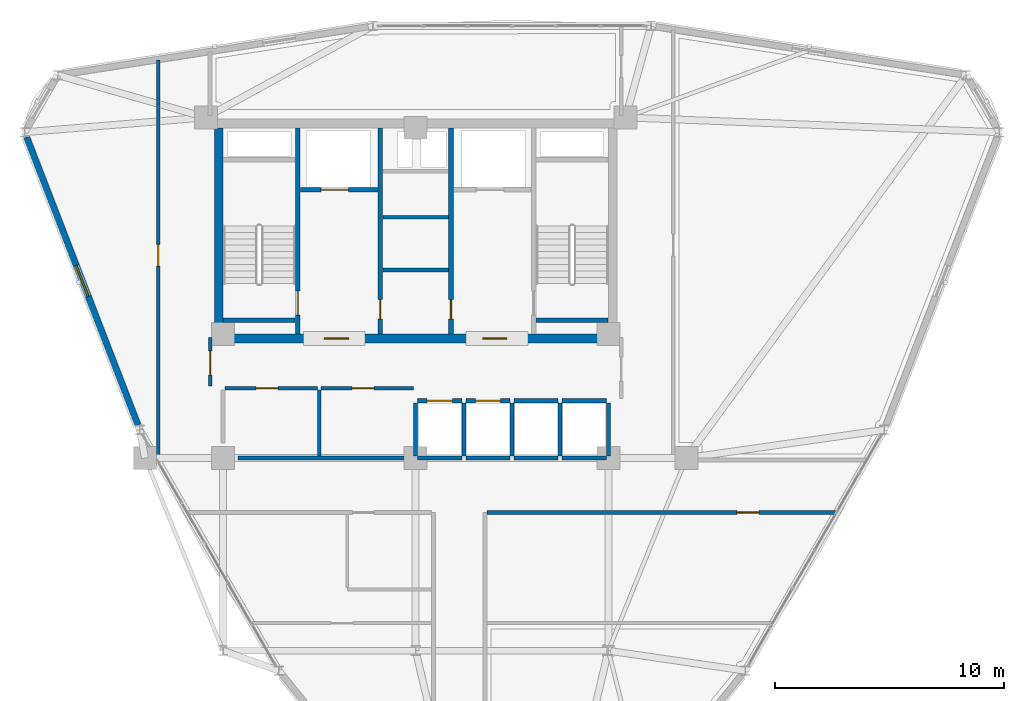
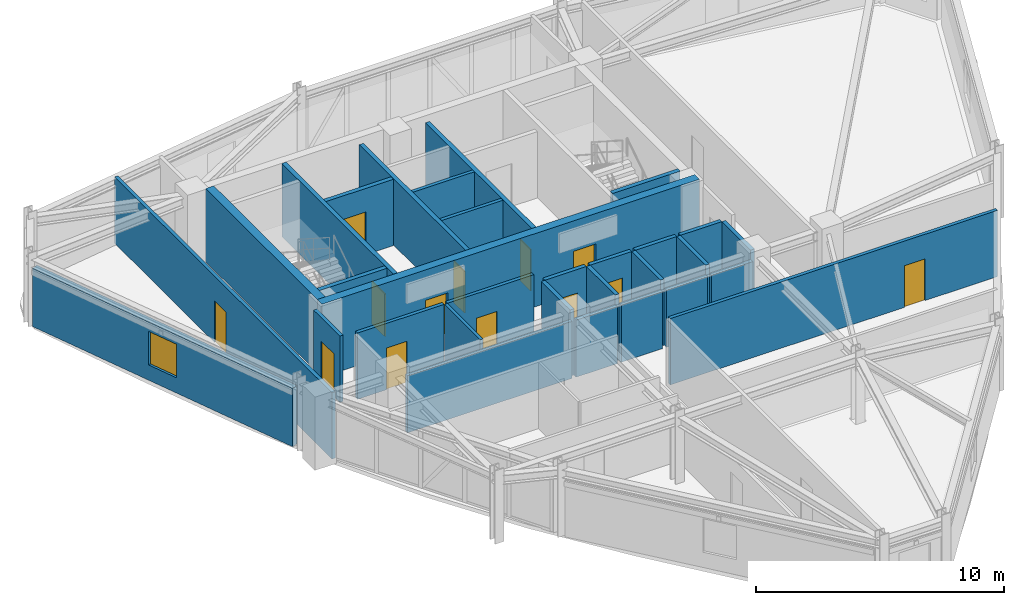
# One storey, part 13 of 16: 31 walls, 13 doors, 1 window, 14 openings.
"""IFC4 building model written with IfcOpenShell, lengths in metres."""

from ifc_helpers import new_model, si_unit, derived_unit, direction, frame, frame_2d, origin, place, context, subcontext, project, spatial, rectangle, extrude, material, layer, layer_set, type_object, element, fill, save


model = new_model("IFC4")

# Units and contexts
model_context = context("Model", 3, precision=1e-05, world=origin(), true_north=direction((0.0, 1.0)))
body_context = subcontext(model_context, "Body", "Model", "MODEL_VIEW")
ifc_project = project(units=[si_unit("LENGTHUNIT", "METRE"), si_unit("AREAUNIT", "SQUARE_METRE"), si_unit("VOLUMEUNIT", "CUBIC_METRE"), si_unit("PLANEANGLEUNIT", "RADIAN"), si_unit("MASSUNIT", "GRAM", prefix="KILO"), derived_unit("THERMALTRANSMITTANCEUNIT", [(si_unit("POWERUNIT", "WATT"), 1), (si_unit("LENGTHUNIT", "METRE"), -2), (si_unit("THERMODYNAMICTEMPERATUREUNIT", "KELVIN"), -1)])], contexts=[model_context])

# Site, building, storey
site_placement = place(None, origin())
site = spatial("IfcSite", under=ifc_project, at=site_placement, CompositionType="ELEMENT")
building_placement = place(site_placement, origin())
building = spatial("IfcBuilding", under=site, at=building_placement, Name="Korsvarv Bourse and Concert Hall", CompositionType="ELEMENT")
storey_placement = place(building_placement, frame((0.0, 0.0, 234.60009765625)))
storey = spatial("IfcBuildingStorey", under=building, at=storey_placement, Name="L61", CompositionType="ELEMENT", Elevation=234.60009765625)

# Wall, openings, doors
ifc_material_1 = material(Name="Concrete C50/60", Category="concrete")
ifc_layer_1 = layer(ifc_material_1, 0.3798828125)
ifc_layer_set_1 = layer_set([ifc_layer_1], Name="Concrete C50/60")
wall_type_1 = type_object("IfcWallType", Name="WL-CORE-380", PredefinedType="SHEAR", material=ifc_layer_set_1)
wall_1_placement = place(storey_placement, frame((27.219970703125, 37.610107421875, 0.0), z_axis=(0.0, 0.0, 1.0), x_axis=(1.0, 0.0, 0.0)))
wall_1 = element("IfcWall", 1, at=wall_1_placement, inside=storey, type_object=wall_type_1, Name="L61 South Core Shear Wall", PredefinedType="SHEAR", context=body_context, shape_type="SweptSolid", body=[
    extrude(rectangle(XDim=17.56005859375, YDim=0.3798828125, at=frame_2d((8.780029296875, 0.0))), origin(), (0.0, 0.0, 1.0), 3.599853515625),
])
opening_1_placement = place(wall_1_placement, frame((4.804931640625, 0.0, 0.0)))
opening_1 = element("IfcOpeningElement", 2, at=opening_1_placement, cuts=wall_1, Name="Opening D-01", PredefinedType="OPENING", context=body_context, shape_type="SweptSolid", body=[
    extrude(rectangle(XDim=1.050048828125, YDim=2.10009765625, at=frame_2d((0.52490234375, 1.050048828125))), frame((0.0, 0.199951171875, 0.0), z_axis=(0.0, -1.0, 0.0), x_axis=(1.0, 0.0, 0.0)), (0.0, 0.0, 1.0), 0.39990234375),
])
opening_2_placement = place(wall_1_placement, frame((11.705078125, 0.0, 0.0)))
opening_2 = element("IfcOpeningElement", 3, at=opening_2_placement, cuts=wall_1, Name="Opening D-01", PredefinedType="OPENING", context=body_context, shape_type="SweptSolid", body=[
    extrude(rectangle(XDim=1.050048828125, YDim=2.10009765625, at=frame_2d((0.52490234375, 1.050048828125))), frame((0.0, 0.199951171875, 0.0), z_axis=(0.0, -1.0, 0.0), x_axis=(1.0, 0.0, 0.0)), (0.0, 0.0, 1.0), 0.39990234375),
])
ifc_material_2 = material(Name="Steel S355 fire door", Category="steel")
door_type_1 = type_object("IfcDoorType", Name="DR-FD60", OperationType="NOTDEFINED", PredefinedType="DOOR", material=ifc_material_2)
door_1_placement = place(opening_1_placement, frame((1.050048828125, 0.0, 0.0), z_axis=(0.0, 0.0, 1.0), x_axis=(-1.0, 0.0, 0.0)))
door_1 = element("IfcDoor", 4, at=door_1_placement, inside=storey, type_object=door_type_1, Name="L61 firefighting lobby fire door DR-L61-FFLW", OperationType="SINGLE_SWING_RIGHT", OverallHeight=2.10009765625, OverallWidth=1.050048828125, PredefinedType="DOOR", context=body_context, shape_type="SweptSolid", body=[
    extrude(rectangle(XDim=1.050048828125, YDim=2.10009765625, at=frame_2d((0.52490234375, 1.050048828125))), frame((0.0, 0.02490234375, 0.0), z_axis=(0.0, -1.0, 0.0), x_axis=(1.0, 0.0, 0.0)), (0.0, 0.0, 1.0), 0.050048828125),
])
fill(opening_1, door_1)
door_2_placement = place(opening_2_placement, frame((1.050048828125, 0.0, 0.0), z_axis=(0.0, 0.0, 1.0), x_axis=(-1.0, 0.0, 0.0)))
door_2 = element("IfcDoor", 5, at=door_2_placement, inside=storey, type_object=door_type_1, Name="L61 firefighting lobby fire door DR-L61-FFLE", OperationType="SINGLE_SWING_LEFT", OverallHeight=2.10009765625, OverallWidth=1.050048828125, PredefinedType="DOOR", context=body_context, shape_type="SweptSolid", body=[
    extrude(rectangle(XDim=1.050048828125, YDim=2.10009765625, at=frame_2d((0.52490234375, 1.050048828125))), frame((0.0, 0.02490234375, 0.0), z_axis=(0.0, -1.0, 0.0), x_axis=(1.0, 0.0, 0.0)), (0.0, 0.0, 1.0), 0.050048828125),
])
fill(opening_2, door_2)

# Wall
wall_2_placement = place(storey_placement, frame((27.409912109375, 37.800048828125, 0.0), z_axis=(0.0, 0.0, 1.0), x_axis=(0.0, 1.0, 0.0)))
element("IfcWall", 6, at=wall_2_placement, inside=storey, type_object=wall_type_1, Name="L61 West Core Shear Wall", PredefinedType="SHEAR", context=body_context, shape_type="SweptSolid", body=[
    extrude(rectangle(XDim=9.0, YDim=0.3798828125, at=frame_2d((4.5, 0.0))), origin(), (0.0, 0.0, 1.0), 3.599853515625),
])

# Wall, opening, door
wall_3_placement = place(storey_placement, frame((30.860107421875, 37.81005859375, 0.0), z_axis=(0.0, 0.0, 1.0), x_axis=(0.0, 1.0, 0.0)))
wall_3 = element("IfcWall", 7, at=wall_3_placement, inside=storey, type_object=wall_type_1, Name="L61 stair shaft structural wall W-L61-ST1-E", PredefinedType="SHEAR", context=body_context, shape_type="SweptSolid", body=[
    extrude(rectangle(XDim=8.97998046875, YDim=0.199951171875, at=frame_2d((4.489990234375, 0.0))), origin(), (0.0, 0.0, 1.0), 3.599853515625),
])
opening_3_placement = place(wall_3_placement, frame((0.820068359375, 0.0, 0.0)))
opening_3 = element("IfcOpeningElement", 8, at=opening_3_placement, cuts=wall_3, Name="Opening D-01", PredefinedType="OPENING", context=body_context, shape_type="SweptSolid", body=[
    extrude(rectangle(XDim=1.050048828125, YDim=2.10009765625, at=frame_2d((0.52490234375, 1.050048828125))), frame((0.0, 0.10986328125, 0.0), z_axis=(0.0, -1.0, 0.0), x_axis=(1.0, 0.0, 0.0)), (0.0, 0.0, 1.0), 0.219970703125),
])
door_3_placement = place(opening_3_placement, origin())
door_3 = element("IfcDoor", 9, at=door_3_placement, inside=storey, type_object=door_type_1, Name="L61 interior door DR-L61-ST1", OperationType="SINGLE_SWING_RIGHT", OverallHeight=2.10009765625, OverallWidth=1.050048828125, PredefinedType="DOOR", context=body_context, shape_type="SweptSolid", body=[
    extrude(rectangle(XDim=1.050048828125, YDim=2.10009765625, at=frame_2d((0.52490234375, 1.050048828125))), frame((0.0, 0.02490234375, 0.0), z_axis=(0.0, -1.0, 0.0), x_axis=(1.0, 0.0, 0.0)), (0.0, 0.0, 1.0), 0.050048828125),
])
fill(opening_3, door_3)

# Walls
for number, where, z_axis, x_axis, name in (
    (10, (27.610107421875, 38.39990234375, 0.0), (0.0, 0.0, 1.0), (1.0, 0.0, 0.0), "L61 stair shaft structural wall W-L61-ST1-S"),
    (11, (41.25, 38.39990234375, 0.0), (0.0, 0.0, 1.0), (1.0, 0.0, 0.0), "L61 stair shaft structural wall W-L61-ST2-S"),
):
    element("IfcWall", number, at=place(storey_placement, frame(where, z_axis=z_axis, x_axis=x_axis)), inside=storey, type_object=wall_type_1, Name=name, PredefinedType="SHEAR", context=body_context, shape_type="SweptSolid", body=[
        extrude(rectangle(XDim=3.139892578125, YDim=0.199951171875, at=frame_2d((1.56982421875, 0.0))), origin(), (0.0, 0.0, 1.0), 3.599853515625),
    ])

# Wall, opening, window
ifc_material_3 = material(Name="Precast concrete C45/55 with fluted terracotta pier", Category="concrete")
ifc_layer_2 = layer(ifc_material_3, 0.280029296875)
ifc_layer_set_2 = layer_set([ifc_layer_2], Name="Precast concrete C45/55 with fluted terracotta pier")
wall_type_2 = type_object("IfcWallType", Name="WL-EXT-TC2", PredefinedType="SOLIDWALL", material=ifc_layer_set_2)
wall_4_placement = place(storey_placement, frame((19.034912109375, 46.393310546875, 0.0), z_axis=(0.0, 0.0, 1.0), x_axis=(0.360620992305, -0.93271244224, 0.0)))
wall_4 = element("IfcWall", 12, at=wall_4_placement, inside=storey, type_object=wall_type_2, Name="L61 terracotta exterior wall EW-L61-B06", PredefinedType="SOLIDWALL", context=body_context, shape_type="SweptSolid", body=[
    extrude(rectangle(XDim=13.456787109375, YDim=0.280029296875, at=frame_2d((6.728515625, 0.0))), origin(), (0.0, 0.0, 1.0), 2.869873046875),
])
opening_4_placement = place(wall_4_placement, frame((6.00341796875, 0.0, 0.75)))
opening_4 = element("IfcOpeningElement", 13, at=opening_4_placement, cuts=wall_4, Name="Opening W-02", PredefinedType="OPENING", context=body_context, shape_type="SweptSolid", body=[
    extrude(rectangle(XDim=1.449951171875, YDim=1.64990234375, at=frame_2d((0.72509765625, 0.824951171875))), frame((0.0, 0.14990234375, 0.0), z_axis=(0.0, -1.0, 0.0), x_axis=(1.0, 0.0, 0.0)), (0.0, 0.0, 1.0), 0.300048828125),
])
ifc_material_4 = material(Name="Thermally broken aluminium frame with triple low-E glass", Category="glass")
window_type = type_object("IfcWindowType", Name="WIN-TW2", PartitioningType="SINGLE_PANEL", PredefinedType="WINDOW", material=ifc_material_4)
window_placement = place(opening_4_placement, origin())
window = element("IfcWindow", 14, at=window_placement, inside=storey, type_object=window_type, Name="L61 punched facade window W-02", OverallHeight=1.64990234375, OverallWidth=1.449951171875, PartitioningType="SINGLE_PANEL", PredefinedType="WINDOW", context=body_context, shape_type="SweptSolid", body=[
    extrude(rectangle(XDim=1.449951171875, YDim=1.64990234375, at=frame_2d((0.72509765625, 0.824951171875))), frame((0.0, 0.030029296875, 0.0), z_axis=(0.0, -1.0, 0.0), x_axis=(1.0, 0.0, 0.0)), (0.0, 0.0, 1.0), 0.06005859375),
])
fill(opening_4, window)

# Wall, opening, door
ifc_material_5 = material(Name="Reinforced concrete blockwork C35/45 fire wall", Category="concrete")
ifc_layer_3 = layer(ifc_material_5, 0.199951171875)
ifc_layer_set_3 = layer_set([ifc_layer_3], Name="Reinforced concrete blockwork C35/45 fire wall")
wall_type_3 = type_object("IfcWallType", Name="WL-INT-EI120", PredefinedType="PARTITIONING", material=ifc_layer_set_3)
wall_5_placement = place(storey_placement, frame((30.969970703125, 44.10009765625, 0.0), z_axis=(0.0, 0.0, 1.0), x_axis=(1.0, 0.0, 0.0)))
wall_5 = element("IfcWall", 15, at=wall_5_placement, inside=storey, type_object=wall_type_3, Name="L61 interior partition wall W-L61-FF1-S", PredefinedType="PARTITIONING", context=body_context, shape_type="SweptSolid", body=[
    extrude(rectangle(XDim=3.380126953125, YDim=0.199951171875, at=frame_2d((1.68994140625, 0.0))), origin(), (0.0, 0.0, 1.0), 3.260009765625),
])
opening_5_placement = place(wall_5_placement, frame((0.89990234375, 0.0, 0.0)))
opening_5 = element("IfcOpeningElement", 16, at=opening_5_placement, cuts=wall_5, Name="Opening LD-1", PredefinedType="OPENING", context=body_context, shape_type="SweptSolid", body=[
    extrude(rectangle(XDim=1.199951171875, YDim=2.10009765625, at=frame_2d((0.60009765625, 1.050048828125))), frame((0.0, 0.10986328125, 0.0), z_axis=(0.0, -1.0, 0.0), x_axis=(1.0, 0.0, 0.0)), (0.0, 0.0, 1.0), 0.219970703125),
])
ifc_material_6 = material(Name="Stainless Steel S355 firefighting lift landing door", Category="steel")
door_type_2 = type_object("IfcDoorType", Name="DR-LIFT-FF", OperationType="DOUBLE_DOOR_SLIDING", PredefinedType="DOOR", material=ifc_material_6)
door_4_placement = place(opening_5_placement, origin())
door_4 = element("IfcDoor", 17, at=door_4_placement, inside=storey, type_object=door_type_2, Name="L61 lift sliding landing door LD-L61-FF1", OperationType="DOUBLE_DOOR_SLIDING", OverallHeight=2.10009765625, OverallWidth=1.199951171875, PredefinedType="DOOR", context=body_context, shape_type="SweptSolid", body=[
    extrude(rectangle(XDim=1.199951171875, YDim=2.10009765625, at=frame_2d((0.60009765625, 1.050048828125))), frame((0.0, 0.02490234375, 0.0), z_axis=(0.0, -1.0, 0.0), x_axis=(1.0, 0.0, 0.0)), (0.0, 0.0, 1.0), 0.050048828125),
])
fill(opening_5, door_4)

wall_6_placement = place(storey_placement, frame((34.4599609375, 37.81005859375, 0.0), z_axis=(0.0, 0.0, 1.0), x_axis=(0.0, 1.0, 0.0)))
wall_6 = element("IfcWall", 18, at=wall_6_placement, inside=storey, type_object=wall_type_3, Name="L61 interior partition wall W-L61-CSB-W", PredefinedType="PARTITIONING", context=body_context, shape_type="SweptSolid", body=[
    extrude(rectangle(XDim=8.97998046875, YDim=0.199951171875, at=frame_2d((4.489990234375, 0.0))), origin(), (0.0, 0.0, 1.0), 3.260009765625),
])
opening_6_placement = place(wall_6_placement, frame((0.64990234375, 0.0, 0.0)))
opening_6 = element("IfcOpeningElement", 19, at=opening_6_placement, cuts=wall_6, Name="Opening D-05", PredefinedType="OPENING", context=body_context, shape_type="SweptSolid", body=[
    extrude(rectangle(XDim=0.85009765625, YDim=2.050048828125, at=frame_2d((0.425048828125, 1.02490234375))), frame((0.0, 0.10986328125, 0.0), z_axis=(0.0, -1.0, 0.0), x_axis=(1.0, 0.0, 0.0)), (0.0, 0.0, 1.0), 0.219970703125),
])
door_type_3 = type_object("IfcDoorType", Name="DR-FD60-850X2050", OperationType="NOTDEFINED", PredefinedType="DOOR", material=ifc_material_2)
door_5_placement = place(opening_6_placement, frame((0.85009765625, 0.0, 0.0), z_axis=(0.0, 0.0, 1.0), x_axis=(-1.0, 0.0, 0.0)))
door_5 = element("IfcDoor", 20, at=door_5_placement, inside=storey, type_object=door_type_3, Name="L61 interior door DR-L61-CSB1", OperationType="SINGLE_SWING_RIGHT", OverallHeight=2.050048828125, OverallWidth=0.85009765625, PredefinedType="DOOR", context=body_context, shape_type="SweptSolid", body=[
    extrude(rectangle(XDim=0.85009765625, YDim=2.050048828125, at=frame_2d((0.425048828125, 1.02490234375))), frame((0.0, 0.02490234375, 0.0), z_axis=(0.0, -1.0, 0.0), x_axis=(1.0, 0.0, 0.0)), (0.0, 0.0, 1.0), 0.050048828125),
])
fill(opening_6, door_5)

wall_7_placement = place(storey_placement, frame((37.5400390625, 37.81005859375, 0.0), z_axis=(0.0, 0.0, 1.0), x_axis=(0.0, 1.0, 0.0)))
wall_7 = element("IfcWall", 21, at=wall_7_placement, inside=storey, type_object=wall_type_3, Name="L61 interior partition wall W-L61-CSB-E", PredefinedType="PARTITIONING", context=body_context, shape_type="SweptSolid", body=[
    extrude(rectangle(XDim=8.97998046875, YDim=0.199951171875, at=frame_2d((4.489990234375, 0.0))), origin(), (0.0, 0.0, 1.0), 3.260009765625),
])
opening_7_placement = place(wall_7_placement, frame((0.64990234375, 0.0, 0.0)))
opening_7 = element("IfcOpeningElement", 22, at=opening_7_placement, cuts=wall_7, Name="Opening D-05", PredefinedType="OPENING", context=body_context, shape_type="SweptSolid", body=[
    extrude(rectangle(XDim=0.85009765625, YDim=2.050048828125, at=frame_2d((0.425048828125, 1.02490234375))), frame((0.0, 0.10986328125, 0.0), z_axis=(0.0, -1.0, 0.0), x_axis=(1.0, 0.0, 0.0)), (0.0, 0.0, 1.0), 0.219970703125),
])
door_6_placement = place(opening_7_placement, origin())
door_6 = element("IfcDoor", 23, at=door_6_placement, inside=storey, type_object=door_type_3, Name="L61 interior door DR-L61-CSB2", OperationType="SINGLE_SWING_LEFT", OverallHeight=2.050048828125, OverallWidth=0.85009765625, PredefinedType="DOOR", context=body_context, shape_type="SweptSolid", body=[
    extrude(rectangle(XDim=0.85009765625, YDim=2.050048828125, at=frame_2d((0.425048828125, 1.02490234375))), frame((0.0, 0.02490234375, 0.0), z_axis=(0.0, -1.0, 0.0), x_axis=(1.0, 0.0, 0.0)), (0.0, 0.0, 1.0), 0.050048828125),
])
fill(opening_7, door_6)

# Walls
ifc_material_7 = material(Name="Double-stud fire-rated acoustic partition", Category="gypsum")
ifc_layer_4 = layer(ifc_material_7, 0.159912109375)
ifc_layer_set_4 = layer_set([ifc_layer_4], Name="Double-stud fire-rated acoustic partition")
wall_type_4 = type_object("IfcWallType", Name="WL-INT-EI60", PredefinedType="PARTITIONING", material=ifc_layer_set_4)
for number, where, z_axis, x_axis, name in (
    (24, (34.570068359375, 40.60009765625, 0.0), (0.0, 0.0, 1.0), (1.0, 0.0, 0.0), "L61 interior partition wall W-L61-K1"),
    (25, (34.570068359375, 42.89990234375, 0.0), (0.0, 0.0, 1.0), (1.0, 0.0, 0.0), "L61 interior partition wall W-L61-K2"),
):
    element("IfcWall", number, at=place(storey_placement, frame(where, z_axis=z_axis, x_axis=x_axis)), inside=storey, type_object=wall_type_4, Name=name, PredefinedType="PARTITIONING", context=body_context, shape_type="SweptSolid", body=[
        extrude(rectangle(XDim=2.85986328125, YDim=0.159912109375, at=frame_2d((1.429931640625, 0.0))), origin(), (0.0, 0.0, 1.0), 3.260009765625),
    ])
wall_8_placement = place(storey_placement, frame((28.25, 32.39990234375, 0.0), z_axis=(0.0, 0.0, 1.0), x_axis=(1.0, 0.0, 0.0)))
element("IfcWall", 26, at=wall_8_placement, inside=storey, type_object=wall_type_4, Name="L61 interior partition wall W-L61-FRD-S", PredefinedType="PARTITIONING", context=body_context, shape_type="SweptSolid", body=[
    extrude(rectangle(XDim=7.64990234375, YDim=0.159912109375, at=frame_2d((3.824951171875, 0.0))), origin(), (0.0, 0.0, 1.0), 2.809814453125),
])

# Wall, opening, door
wall_9_placement = place(storey_placement, frame((27.68994140625, 35.449951171875, 0.0), z_axis=(0.0, 0.0, 1.0), x_axis=(1.0, 0.0, 0.0)))
wall_9 = element("IfcWall", 27, at=wall_9_placement, inside=storey, type_object=wall_type_4, Name="L61 interior partition wall W-L61-FRD-N1", PredefinedType="PARTITIONING", context=body_context, shape_type="SweptSolid", body=[
    extrude(rectangle(XDim=4.030029296875, YDim=0.159912109375, at=frame_2d((2.01513671875, 0.0))), origin(), (0.0, 0.0, 1.0), 3.260009765625),
])
opening_8_placement = place(wall_9_placement, frame((1.35009765625, 0.0, 0.0)))
opening_8 = element("IfcOpeningElement", 28, at=opening_8_placement, cuts=wall_9, Name="Opening D-03", PredefinedType="OPENING", context=body_context, shape_type="SweptSolid", body=[
    extrude(rectangle(XDim=0.949951171875, YDim=2.050048828125, at=frame_2d((0.47509765625, 1.02490234375))), frame((0.0, 0.08984375, 0.0), z_axis=(0.0, -1.0, 0.0), x_axis=(1.0, 0.0, 0.0)), (0.0, 0.0, 1.0), 0.179931640625),
])
ifc_material_8 = material(Name="Nordic oak acoustic office door", Category="wood")
door_type_4 = type_object("IfcDoorType", Name="DR-INT-1", OperationType="NOTDEFINED", PredefinedType="DOOR", material=ifc_material_8)
door_7_placement = place(opening_8_placement, origin())
door_7 = element("IfcDoor", 29, at=door_7_placement, inside=storey, type_object=door_type_4, Name="L61 interior door DR-L61-FRDN1", OperationType="SINGLE_SWING_RIGHT", OverallHeight=2.050048828125, OverallWidth=0.949951171875, PredefinedType="DOOR", context=body_context, shape_type="SweptSolid", body=[
    extrude(rectangle(XDim=0.949951171875, YDim=2.050048828125, at=frame_2d((0.47509765625, 1.02490234375))), frame((0.0, 0.02490234375, 0.0), z_axis=(0.0, -1.0, 0.0), x_axis=(1.0, 0.0, 0.0)), (0.0, 0.0, 1.0), 0.050048828125),
])
fill(opening_8, door_7)

wall_10_placement = place(storey_placement, frame((31.8798828125, 35.449951171875, 0.0), z_axis=(0.0, 0.0, 1.0), x_axis=(1.0, 0.0, 0.0)))
wall_10 = element("IfcWall", 30, at=wall_10_placement, inside=storey, type_object=wall_type_4, Name="L61 interior partition wall W-L61-FRD-N2", PredefinedType="PARTITIONING", context=body_context, shape_type="SweptSolid", body=[
    extrude(rectangle(XDim=4.02001953125, YDim=0.159912109375, at=frame_2d((2.010009765625, 0.0))), origin(), (0.0, 0.0, 1.0), 3.260009765625),
])
opening_9_placement = place(wall_10_placement, frame((1.35009765625, 0.0, 0.0)))
opening_9 = element("IfcOpeningElement", 31, at=opening_9_placement, cuts=wall_10, Name="Opening D-03", PredefinedType="OPENING", context=body_context, shape_type="SweptSolid", body=[
    extrude(rectangle(XDim=0.949951171875, YDim=2.050048828125, at=frame_2d((0.47509765625, 1.02490234375))), frame((0.0, 0.08984375, 0.0), z_axis=(0.0, -1.0, 0.0), x_axis=(1.0, 0.0, 0.0)), (0.0, 0.0, 1.0), 0.179931640625),
])
door_8_placement = place(opening_9_placement, origin())
door_8 = element("IfcDoor", 32, at=door_8_placement, inside=storey, type_object=door_type_4, Name="L61 interior door DR-L61-FRDN2", OperationType="SINGLE_SWING_LEFT", OverallHeight=2.050048828125, OverallWidth=0.949951171875, PredefinedType="DOOR", context=body_context, shape_type="SweptSolid", body=[
    extrude(rectangle(XDim=0.949951171875, YDim=2.050048828125, at=frame_2d((0.47509765625, 1.02490234375))), frame((0.0, 0.02490234375, 0.0), z_axis=(0.0, -1.0, 0.0), x_axis=(1.0, 0.0, 0.0)), (0.0, 0.0, 1.0), 0.050048828125),
])
fill(opening_9, door_8)

wall_11_placement = place(storey_placement, frame((27.0400390625, 35.5400390625, 0.0), z_axis=(0.0, 0.0, 1.0), x_axis=(0.0, 1.0, 0.0)))
wall_11 = element("IfcWall", 33, at=wall_11_placement, inside=storey, type_object=wall_type_4, Name="L61 interior partition wall W-L61-LOB-WL", PredefinedType="PARTITIONING", context=body_context, shape_type="SweptSolid", body=[
    extrude(rectangle(XDim=2.10986328125, YDim=0.159912109375, at=frame_2d((1.054931640625, 0.0))), origin(), (0.0, 0.0, 1.0), 3.260009765625),
])
opening_10_placement = place(wall_11_placement, frame((0.47998046875, 0.0, 0.0)))
opening_10 = element("IfcOpeningElement", 34, at=opening_10_placement, cuts=wall_11, Name="Opening D-01", PredefinedType="OPENING", context=body_context, shape_type="SweptSolid", body=[
    extrude(rectangle(XDim=1.050048828125, YDim=2.10009765625, at=frame_2d((0.52490234375, 1.050048828125))), frame((0.0, 0.08984375, 0.0), z_axis=(0.0, -1.0, 0.0), x_axis=(1.0, 0.0, 0.0)), (0.0, 0.0, 1.0), 0.179931640625),
])
door_9_placement = place(opening_10_placement, frame((1.050048828125, 0.0, 0.0), z_axis=(0.0, 0.0, 1.0), x_axis=(-1.0, 0.0, 0.0)))
door_9 = element("IfcDoor", 35, at=door_9_placement, inside=storey, type_object=door_type_1, Name="L61 interior door DR-L61-LOBW", OperationType="SINGLE_SWING_RIGHT", OverallHeight=2.10009765625, OverallWidth=1.050048828125, PredefinedType="DOOR", context=body_context, shape_type="SweptSolid", body=[
    extrude(rectangle(XDim=1.050048828125, YDim=2.10009765625, at=frame_2d((0.52490234375, 1.050048828125))), frame((0.0, 0.02490234375, 0.0), z_axis=(0.0, -1.0, 0.0), x_axis=(1.0, 0.0, 0.0)), (0.0, 0.0, 1.0), 0.050048828125),
])
fill(opening_10, door_9)

wall_12_placement = place(storey_placement, frame((24.77490234375, 32.254638671875, 0.0), z_axis=(0.0, 0.0, 1.0), x_axis=(0.0, 1.0, 0.0)))
wall_12 = element("IfcWall", 36, at=wall_12_placement, inside=storey, type_object=wall_type_4, Name="L61 interior partition wall W-L61-TCOR-03", PredefinedType="PARTITIONING", context=body_context, shape_type="SweptSolid", body=[
    extrude(rectangle(XDim=17.506591796875, YDim=0.159912109375, at=frame_2d((8.75341796875, 0.0))), origin(), (0.0, 0.0, 1.0), 3.260009765625),
])
opening_11_placement = place(wall_12_placement, frame((8.510498046875, 0.0, 0.0)))
opening_11 = element("IfcOpeningElement", 37, at=opening_11_placement, cuts=wall_12, Name="Opening D-02", PredefinedType="OPENING", context=body_context, shape_type="SweptSolid", body=[
    extrude(rectangle(XDim=0.949951171875, YDim=2.050048828125, at=frame_2d((0.47509765625, 1.02490234375))), frame((0.0, 0.08984375, 0.0), z_axis=(0.0, -1.0, 0.0), x_axis=(1.0, 0.0, 0.0)), (0.0, 0.0, 1.0), 0.179931640625),
])
ifc_material_9 = material(Name="Timber and steel acoustic fire door", Category="wood")
door_type_5 = type_object("IfcDoorType", Name="DR-FD30", OperationType="NOTDEFINED", PredefinedType="DOOR", material=ifc_material_9)
door_10_placement = place(opening_11_placement, origin())
door_10 = element("IfcDoor", 38, at=door_10_placement, inside=storey, type_object=door_type_5, Name="L61 interior door DR-L61-TCOR-NWJ7", OperationType="SINGLE_SWING_RIGHT", OverallHeight=2.050048828125, OverallWidth=0.949951171875, PredefinedType="DOOR", context=body_context, shape_type="SweptSolid", body=[
    extrude(rectangle(XDim=0.949951171875, YDim=2.050048828125, at=frame_2d((0.47509765625, 1.02490234375))), frame((0.0, 0.02490234375, 0.0), z_axis=(0.0, -1.0, 0.0), x_axis=(1.0, 0.0, 0.0)), (0.0, 0.0, 1.0), 0.050048828125),
])
fill(opening_11, door_10)

wall_13_placement = place(storey_placement, frame((39.10693359375, 30.02490234375, 0.0), z_axis=(0.0, 0.0, 1.0), x_axis=(1.0, 0.0, 0.0)))
wall_13 = element("IfcWall", 39, at=wall_13_placement, inside=storey, type_object=wall_type_4, Name="L61 interior partition wall W-L61-TCOR-04", PredefinedType="PARTITIONING", context=body_context, shape_type="SweptSolid", body=[
    extrude(rectangle(XDim=15.222412109375, YDim=0.159912109375, at=frame_2d((7.611328125, 0.0))), origin(), (0.0, 0.0, 1.0), 3.260009765625),
])
opening_12_placement = place(wall_13_placement, frame((10.90087890625, 0.0, 0.0)))
opening_12 = element("IfcOpeningElement", 40, at=opening_12_placement, cuts=wall_13, Name="Opening D-02", PredefinedType="OPENING", context=body_context, shape_type="SweptSolid", body=[
    extrude(rectangle(XDim=0.949951171875, YDim=2.050048828125, at=frame_2d((0.47509765625, 1.02490234375))), frame((0.0, 0.08984375, 0.0), z_axis=(0.0, -1.0, 0.0), x_axis=(1.0, 0.0, 0.0)), (0.0, 0.0, 1.0), 0.179931640625),
])
door_11_placement = place(opening_12_placement, origin())
door_11 = element("IfcDoor", 41, at=door_11_placement, inside=storey, type_object=door_type_5, Name="L61 interior door DR-L61-TCOR-MED3", OperationType="SINGLE_SWING_LEFT", OverallHeight=2.050048828125, OverallWidth=0.949951171875, PredefinedType="DOOR", context=body_context, shape_type="SweptSolid", body=[
    extrude(rectangle(XDim=0.949951171875, YDim=2.050048828125, at=frame_2d((0.47509765625, 1.02490234375))), frame((0.0, 0.02490234375, 0.0), z_axis=(0.0, -1.0, 0.0), x_axis=(1.0, 0.0, 0.0)), (0.0, 0.0, 1.0), 0.050048828125),
])
fill(opening_12, door_11)

ifc_material_10 = material(Name="Gypsum-clad autoclaved concrete shaft wall C30/37", Category="concrete")
ifc_layer_5 = layer(ifc_material_10, 0.179931640625)
ifc_layer_set_5 = layer_set([ifc_layer_5], Name="Gypsum-clad autoclaved concrete shaft wall C30/37")
wall_type_5 = type_object("IfcWallType", Name="WL-INT-EI90", PredefinedType="PARTITIONING", material=ifc_layer_set_5)
wall_14_placement = place(storey_placement, frame((36.090087890625, 34.89990234375, 0.0), z_axis=(0.0, 0.0, 1.0), x_axis=(1.0, 0.0, 0.0)))
wall_14 = element("IfcWall", 42, at=wall_14_placement, inside=storey, type_object=wall_type_5, Name="L61 interior partition wall W-L61-SHFN-PH1", PredefinedType="PARTITIONING", context=body_context, shape_type="SweptSolid", body=[
    extrude(rectangle(XDim=1.919921875, YDim=0.179931640625, at=frame_2d((0.9599609375, 0.0))), origin(), (0.0, 0.0, 1.0), 3.260009765625),
])
opening_13_placement = place(wall_14_placement, frame((0.409912109375, 0.0, 0.0)))
opening_13 = element("IfcOpeningElement", 43, at=opening_13_placement, cuts=wall_14, Name="Opening LD-2", PredefinedType="OPENING", context=body_context, shape_type="SweptSolid", body=[
    extrude(rectangle(XDim=1.10009765625, YDim=2.10009765625, at=frame_2d((0.550048828125, 1.050048828125))), frame((0.0, 0.10009765625, 0.0), z_axis=(0.0, -1.0, 0.0), x_axis=(1.0, 0.0, 0.0)), (0.0, 0.0, 1.0), 0.199951171875),
])
ifc_material_11 = material(Name="Brushed stainless Steel S355 lift landing door", Category="steel")
door_type_6 = type_object("IfcDoorType", Name="DR-LIFT-P", OperationType="DOUBLE_DOOR_SLIDING", PredefinedType="DOOR", material=ifc_material_11)
door_12_placement = place(opening_13_placement, origin())
door_12 = element("IfcDoor", 44, at=door_12_placement, inside=storey, type_object=door_type_6, Name="L61 lift sliding landing door LD-L61-PH1", OperationType="DOUBLE_DOOR_SLIDING", OverallHeight=2.10009765625, OverallWidth=1.10009765625, PredefinedType="DOOR", context=body_context, shape_type="SweptSolid", body=[
    extrude(rectangle(XDim=1.10009765625, YDim=2.10009765625, at=frame_2d((0.550048828125, 1.050048828125))), frame((0.0, 0.02490234375, 0.0), z_axis=(0.0, -1.0, 0.0), x_axis=(1.0, 0.0, 0.0)), (0.0, 0.0, 1.0), 0.050048828125),
])
fill(opening_13, door_12)

# Walls
wall_15_placement = place(storey_placement, frame((36.090087890625, 32.39990234375, 0.0), z_axis=(0.0, 0.0, 1.0), x_axis=(1.0, 0.0, 0.0)))
element("IfcWall", 45, at=wall_15_placement, inside=storey, type_object=wall_type_5, Name="L61 interior partition wall W-L61-SHFS-PH1", PredefinedType="PARTITIONING", context=body_context, shape_type="SweptSolid", body=[
    extrude(rectangle(XDim=1.919921875, YDim=0.179931640625, at=frame_2d((0.9599609375, 0.0))), origin(), (0.0, 0.0, 1.0), 2.809814453125),
])
wall_16_placement = place(storey_placement, frame((36.0, 32.489990234375, 0.0), z_axis=(0.0, 0.0, 1.0), x_axis=(0.0, 1.0, 0.0)))
element("IfcWall", 46, at=wall_16_placement, inside=storey, type_object=wall_type_5, Name="L61 interior partition wall W-L61-SHFW-PH1", PredefinedType="PARTITIONING", context=body_context, shape_type="SweptSolid", body=[
    extrude(rectangle(XDim=2.320068359375, YDim=0.179931640625, at=frame_2d((1.16015625, 0.0))), origin(), (0.0, 0.0, 1.0), 3.260009765625),
])

# Wall, opening, door
wall_17_placement = place(storey_placement, frame((38.18994140625, 34.89990234375, 0.0), z_axis=(0.0, 0.0, 1.0), x_axis=(1.0, 0.0, 0.0)))
wall_17 = element("IfcWall", 47, at=wall_17_placement, inside=storey, type_object=wall_type_5, Name="L61 interior partition wall W-L61-SHFN-PH2", PredefinedType="PARTITIONING", context=body_context, shape_type="SweptSolid", body=[
    extrude(rectangle(XDim=1.920166015625, YDim=0.179931640625, at=frame_2d((0.9599609375, 0.0))), origin(), (0.0, 0.0, 1.0), 3.260009765625),
])
opening_14_placement = place(wall_17_placement, frame((0.409912109375, 0.0, 0.0)))
opening_14 = element("IfcOpeningElement", 48, at=opening_14_placement, cuts=wall_17, Name="Opening LD-2", PredefinedType="OPENING", context=body_context, shape_type="SweptSolid", body=[
    extrude(rectangle(XDim=1.10009765625, YDim=2.10009765625, at=frame_2d((0.550048828125, 1.050048828125))), frame((0.0, 0.10009765625, 0.0), z_axis=(0.0, -1.0, 0.0), x_axis=(1.0, 0.0, 0.0)), (0.0, 0.0, 1.0), 0.199951171875),
])
door_13_placement = place(opening_14_placement, origin())
door_13 = element("IfcDoor", 49, at=door_13_placement, inside=storey, type_object=door_type_6, Name="L61 lift sliding landing door LD-L61-PH2", OperationType="DOUBLE_DOOR_SLIDING", OverallHeight=2.10009765625, OverallWidth=1.10009765625, PredefinedType="DOOR", context=body_context, shape_type="SweptSolid", body=[
    extrude(rectangle(XDim=1.10009765625, YDim=2.10009765625, at=frame_2d((0.550048828125, 1.050048828125))), frame((0.0, 0.02490234375, 0.0), z_axis=(0.0, -1.0, 0.0), x_axis=(1.0, 0.0, 0.0)), (0.0, 0.0, 1.0), 0.050048828125),
])
fill(opening_14, door_13)

# Walls
wall_18_placement = place(storey_placement, frame((38.18994140625, 32.39990234375, 0.0), z_axis=(0.0, 0.0, 1.0), x_axis=(1.0, 0.0, 0.0)))
element("IfcWall", 50, at=wall_18_placement, inside=storey, type_object=wall_type_5, Name="L61 interior partition wall W-L61-SHFS-PH2", PredefinedType="PARTITIONING", context=body_context, shape_type="SweptSolid", body=[
    extrude(rectangle(XDim=1.920166015625, YDim=0.179931640625, at=frame_2d((0.9599609375, 0.0))), origin(), (0.0, 0.0, 1.0), 2.809814453125),
])
wall_19_placement = place(storey_placement, frame((38.10009765625, 32.489990234375, 0.0), z_axis=(0.0, 0.0, 1.0), x_axis=(0.0, 1.0, 0.0)))
element("IfcWall", 51, at=wall_19_placement, inside=storey, type_object=wall_type_5, Name="L61 interior partition wall W-L61-SHFW-PH2", PredefinedType="PARTITIONING", context=body_context, shape_type="SweptSolid", body=[
    extrude(rectangle(XDim=2.320068359375, YDim=0.179931640625, at=frame_2d((1.16015625, 0.0))), origin(), (0.0, 0.0, 1.0), 3.260009765625),
])
wall_20_placement = place(storey_placement, frame((40.2900390625, 34.89990234375, 0.0), z_axis=(0.0, 0.0, 1.0), x_axis=(1.0, 0.0, 0.0)))
element("IfcWall", 52, at=wall_20_placement, inside=storey, type_object=wall_type_5, Name="L61 interior partition wall W-L61-SHFN-PO1", PredefinedType="PARTITIONING", context=body_context, shape_type="SweptSolid", body=[
    extrude(rectangle(XDim=1.919921875, YDim=0.179931640625, at=frame_2d((0.9599609375, 0.0))), origin(), (0.0, 0.0, 1.0), 3.260009765625),
])
wall_21_placement = place(storey_placement, frame((40.2900390625, 32.39990234375, 0.0), z_axis=(0.0, 0.0, 1.0), x_axis=(1.0, 0.0, 0.0)))
element("IfcWall", 53, at=wall_21_placement, inside=storey, type_object=wall_type_5, Name="L61 interior partition wall W-L61-SHFS-PO1", PredefinedType="PARTITIONING", context=body_context, shape_type="SweptSolid", body=[
    extrude(rectangle(XDim=1.919921875, YDim=0.179931640625, at=frame_2d((0.9599609375, 0.0))), origin(), (0.0, 0.0, 1.0), 2.809814453125),
])
wall_22_placement = place(storey_placement, frame((40.199951171875, 32.489990234375, 0.0), z_axis=(0.0, 0.0, 1.0), x_axis=(0.0, 1.0, 0.0)))
element("IfcWall", 54, at=wall_22_placement, inside=storey, type_object=wall_type_5, Name="L61 interior partition wall W-L61-SHFW-PO1", PredefinedType="PARTITIONING", context=body_context, shape_type="SweptSolid", body=[
    extrude(rectangle(XDim=2.320068359375, YDim=0.179931640625, at=frame_2d((1.16015625, 0.0))), origin(), (0.0, 0.0, 1.0), 3.260009765625),
])
wall_23_placement = place(storey_placement, frame((42.389892578125, 34.89990234375, 0.0), z_axis=(0.0, 0.0, 1.0), x_axis=(1.0, 0.0, 0.0)))
element("IfcWall", 55, at=wall_23_placement, inside=storey, type_object=wall_type_5, Name="L61 interior partition wall W-L61-SHFN-PO2", PredefinedType="PARTITIONING", context=body_context, shape_type="SweptSolid", body=[
    extrude(rectangle(XDim=1.920166015625, YDim=0.179931640625, at=frame_2d((0.9599609375, 0.0))), origin(), (0.0, 0.0, 1.0), 3.260009765625),
])
wall_24_placement = place(storey_placement, frame((42.389892578125, 32.39990234375, 0.0), z_axis=(0.0, 0.0, 1.0), x_axis=(1.0, 0.0, 0.0)))
element("IfcWall", 56, at=wall_24_placement, inside=storey, type_object=wall_type_5, Name="L61 interior partition wall W-L61-SHFS-PO2", PredefinedType="PARTITIONING", context=body_context, shape_type="SweptSolid", body=[
    extrude(rectangle(XDim=1.920166015625, YDim=0.179931640625, at=frame_2d((0.9599609375, 0.0))), origin(), (0.0, 0.0, 1.0), 2.809814453125),
])
for number, where, z_axis, x_axis, name in (
    (57, (42.300048828125, 32.489990234375, 0.0), (0.0, 0.0, 1.0), (0.0, 1.0, 0.0), "L61 interior partition wall W-L61-SHFW-PO2"),
    (58, (44.39990234375, 32.489990234375, 0.0), (0.0, 0.0, 1.0), (0.0, 1.0, 0.0), "L61 interior partition wall W-L61-SHFE-END"),
):
    element("IfcWall", number, at=place(storey_placement, frame(where, z_axis=z_axis, x_axis=x_axis)), inside=storey, type_object=wall_type_5, Name=name, PredefinedType="PARTITIONING", context=body_context, shape_type="SweptSolid", body=[
        extrude(rectangle(XDim=2.320068359375, YDim=0.179931640625, at=frame_2d((1.16015625, 0.0))), origin(), (0.0, 0.0, 1.0), 3.260009765625),
    ])
ifc_material_12 = material(Name="Insulated steel-stud office acoustic partition", Category="gypsum")
ifc_layer_6 = layer(ifc_material_12, 0.139892578125)
ifc_layer_set_6 = layer_set([ifc_layer_6], Name="Insulated steel-stud office acoustic partition")
wall_type_6 = type_object("IfcWallType", Name="WL-INT-P1", PredefinedType="PARTITIONING", material=ifc_layer_set_6)
wall_25_placement = place(storey_placement, frame((31.800048828125, 32.489990234375, 0.0), z_axis=(0.0, 0.0, 1.0), x_axis=(0.0, 1.0, 0.0)))
element("IfcWall", 59, at=wall_25_placement, inside=storey, type_object=wall_type_6, Name="L61 interior partition wall W-L61-FRD-V", PredefinedType="PARTITIONING", context=body_context, shape_type="SweptSolid", body=[
    extrude(rectangle(XDim=2.8701171875, YDim=0.139892578125, at=frame_2d((1.43505859375, 0.0))), origin(), (0.0, 0.0, 1.0), 3.260009765625),
])

save(model, "model.ifc")
